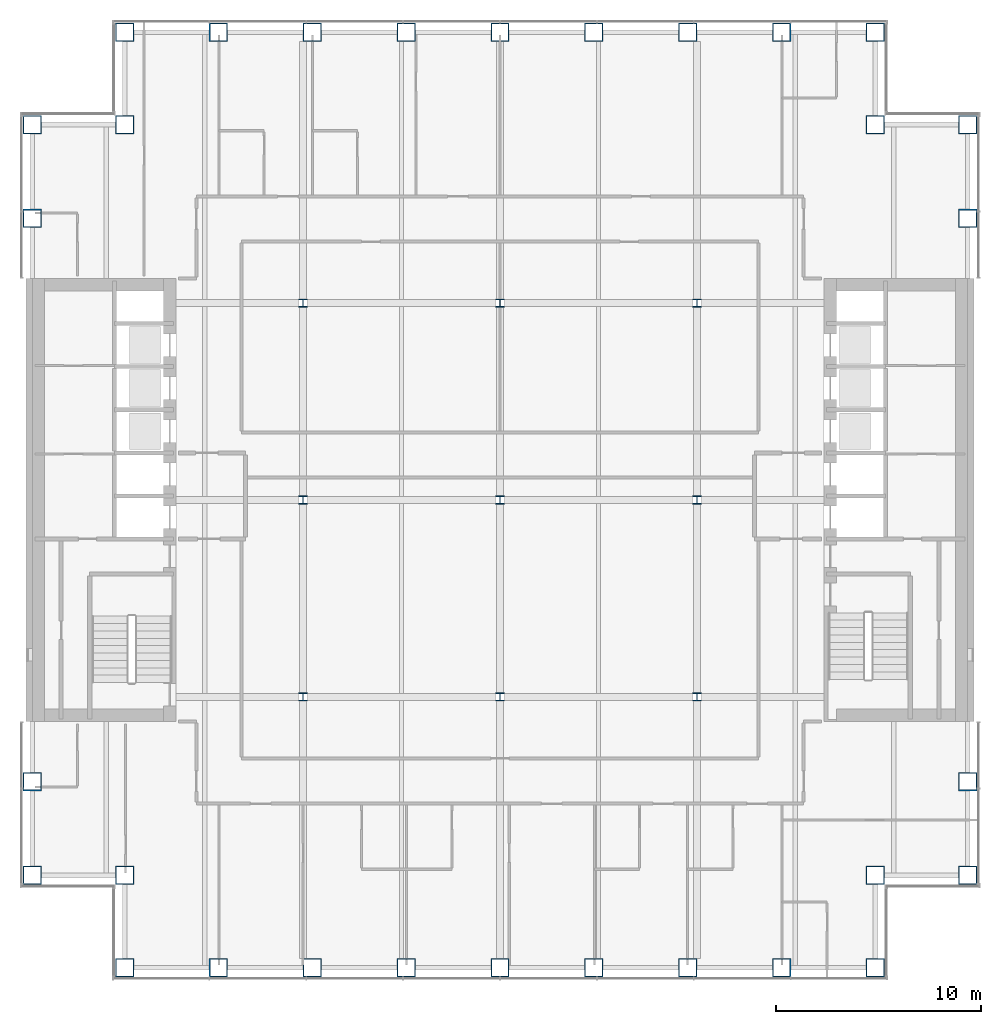
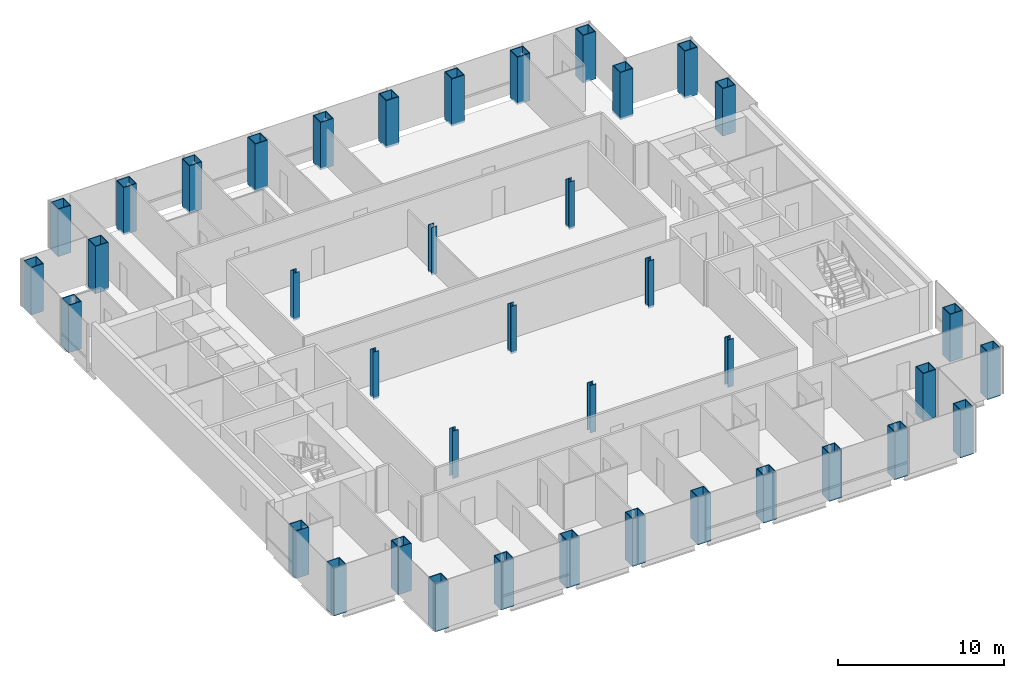
# One storey, part 1 of 15: 39 columns.
"""IFC4 building model written with IfcOpenShell, lengths in metres."""

from ifc_helpers import new_model, si_unit, direction, frame, origin, origin_2d, place, context, subcontext, project, spatial, hollow_rectangle, i_section, extrude, material, material_profile, profile_set, type_object, element, save


model = new_model("IFC4")

# Units and contexts
model_context = context("Model", 3, precision=1e-05, world=origin(), true_north=direction((0.0, 1.0)))
body_context = subcontext(model_context, "Body", "Model", "MODEL_VIEW")
ifc_project = project(units=[si_unit("LENGTHUNIT", "METRE"), si_unit("AREAUNIT", "SQUARE_METRE"), si_unit("VOLUMEUNIT", "CUBIC_METRE"), si_unit("PLANEANGLEUNIT", "RADIAN"), si_unit("MASSUNIT", "GRAM", prefix="KILO")], contexts=[model_context])

# Site, building, storey
site_placement = place(None, origin())
site = spatial("IfcSite", under=ifc_project, at=site_placement, CompositionType="ELEMENT")
building_placement = place(site_placement, origin())
building = spatial("IfcBuilding", under=site, at=building_placement, Name="Cobrizo Arcos Hotel Tower", CompositionType="ELEMENT")
storey_placement = place(building_placement, frame((0.0, 0.0, 99.5)))
storey = spatial("IfcBuildingStorey", under=building, at=storey_placement, Name="L24", CompositionType="ELEMENT", Elevation=99.5)

# Columns
ifc_material_1 = material(Name="Steel ASTM A572 Grade 50", Category="steel")
ifc_material_profile_1 = material_profile(ifc_material_1, hollow_rectangle(XDim=0.89990234375, YDim=0.89990234375, WallThickness=0.050048828125, at=origin_2d()), Name="BOX 900X900X50")
ifc_profile_set_1 = profile_set([ifc_material_profile_1], Name="Steel ASTM A572 Grade 50")
column_type_1 = type_object("IfcColumnType", Name="BOX 900X900X50 column", PredefinedType="COLUMN", material=ifc_profile_set_1)
for number, where, z_axis, x_axis, name in (
    (1, (-18.300048828125, 22.800048828125, -0.14990234375), (0.0, 0.0, 1.0), (1.0, 0.0, 0.0), "Perimeter column C6, L24, no. 00"),
    (2, (-18.300048828125, -22.800048828125, -0.14990234375), (0.0, 0.0, 1.0), (1.0, 0.0, 0.0), "Perimeter column C6, L24, no. 01"),
    (3, (-13.72509765625, 22.800048828125, -0.14990234375), (0.0, 0.0, 1.0), (1.0, 0.0, 0.0), "Perimeter column C6, L24, no. 02"),
    (4, (-13.72509765625, -22.800048828125, -0.14990234375), (0.0, 0.0, 1.0), (1.0, 0.0, 0.0), "Perimeter column C6, L24, no. 03"),
    (5, (-9.14990234375, 22.800048828125, -0.14990234375), (0.0, 0.0, 1.0), (1.0, 0.0, 0.0), "Perimeter column C6, L24, no. 04"),
    (6, (-9.14990234375, -22.800048828125, -0.14990234375), (0.0, 0.0, 1.0), (1.0, 0.0, 0.0), "Perimeter column C6, L24, no. 05"),
    (7, (-4.574951171875, 22.800048828125, -0.14990234375), (0.0, 0.0, 1.0), (1.0, 0.0, 0.0), "Perimeter column C6, L24, no. 06"),
    (8, (-4.574951171875, -22.800048828125, -0.14990234375), (0.0, 0.0, 1.0), (1.0, 0.0, 0.0), "Perimeter column C6, L24, no. 07"),
    (9, (0.0, 22.800048828125, -0.14990234375), (0.0, 0.0, 1.0), (1.0, 0.0, 0.0), "Perimeter column C6, L24, no. 08"),
    (10, (0.0, -22.800048828125, -0.14990234375), (0.0, 0.0, 1.0), (1.0, 0.0, 0.0), "Perimeter column C6, L24, no. 09"),
    (11, (4.574951171875, 22.800048828125, -0.14990234375), (0.0, 0.0, 1.0), (1.0, 0.0, 0.0), "Perimeter column C6, L24, no. 10"),
    (12, (4.574951171875, -22.800048828125, -0.14990234375), (0.0, 0.0, 1.0), (1.0, 0.0, 0.0), "Perimeter column C6, L24, no. 11"),
    (13, (9.14990234375, 22.800048828125, -0.14990234375), (0.0, 0.0, 1.0), (1.0, 0.0, 0.0), "Perimeter column C6, L24, no. 12"),
    (14, (9.14990234375, -22.800048828125, -0.14990234375), (0.0, 0.0, 1.0), (1.0, 0.0, 0.0), "Perimeter column C6, L24, no. 13"),
    (15, (13.72509765625, 22.800048828125, -0.14990234375), (0.0, 0.0, 1.0), (1.0, 0.0, 0.0), "Perimeter column C6, L24, no. 14"),
    (16, (13.72509765625, -22.800048828125, -0.14990234375), (0.0, 0.0, 1.0), (1.0, 0.0, 0.0), "Perimeter column C6, L24, no. 15"),
    (17, (18.300048828125, 22.800048828125, -0.14990234375), (0.0, 0.0, 1.0), (1.0, 0.0, 0.0), "Perimeter column C6, L24, no. 16"),
    (18, (18.300048828125, -22.800048828125, -0.14990234375), (0.0, 0.0, 1.0), (1.0, 0.0, 0.0), "Perimeter column C6, L24, no. 17"),
    (19, (22.800048828125, -18.300048828125, -0.14990234375), (0.0, 0.0, 1.0), (1.0, 0.0, 0.0), "Perimeter column C6, L24, no. 18"),
    (20, (-22.800048828125, -18.300048828125, -0.14990234375), (0.0, 0.0, 1.0), (1.0, 0.0, 0.0), "Perimeter column C6, L24, no. 19"),
    (21, (22.800048828125, -13.72509765625, -0.14990234375), (0.0, 0.0, 1.0), (1.0, 0.0, 0.0), "Perimeter column C6, L24, no. 20"),
    (22, (-22.800048828125, -13.72509765625, -0.14990234375), (0.0, 0.0, 1.0), (1.0, 0.0, 0.0), "Perimeter column C6, L24, no. 21"),
    (23, (22.800048828125, 13.72509765625, -0.14990234375), (0.0, 0.0, 1.0), (1.0, 0.0, 0.0), "Perimeter column C6, L24, no. 22"),
    (24, (-22.800048828125, 13.72509765625, -0.14990234375), (0.0, 0.0, 1.0), (1.0, 0.0, 0.0), "Perimeter column C6, L24, no. 23"),
    (25, (22.800048828125, 18.300048828125, -0.14990234375), (0.0, 0.0, 1.0), (1.0, 0.0, 0.0), "Perimeter column C6, L24, no. 24"),
    (26, (-22.800048828125, 18.300048828125, -0.14990234375), (0.0, 0.0, 1.0), (1.0, 0.0, 0.0), "Perimeter column C6, L24, no. 25"),
    (27, (-18.300048828125, -18.300048828125, -0.14990234375), (0.0, 0.0, 1.0), (1.0, 0.0, 0.0), "Perimeter column C6, L24, no. 26"),
    (28, (-18.300048828125, 18.300048828125, -0.14990234375), (0.0, 0.0, 1.0), (1.0, 0.0, 0.0), "Perimeter column C6, L24, no. 27"),
    (29, (18.300048828125, -18.300048828125, -0.14990234375), (0.0, 0.0, 1.0), (1.0, 0.0, 0.0), "Perimeter column C6, L24, no. 28"),
    (30, (18.300048828125, 18.300048828125, -0.14990234375), (0.0, 0.0, 1.0), (1.0, 0.0, 0.0), "Perimeter column C6, L24, no. 29"),
):
    element("IfcColumn", number, at=place(storey_placement, frame(where, z_axis=z_axis, x_axis=x_axis)), inside=storey, type_object=column_type_1, Name=name, PredefinedType="COLUMN", context=body_context, shape_type="SweptSolid", body=[
        extrude(hollow_rectangle(XDim=0.89990234375, YDim=0.89990234375, WallThickness=0.050048828125, at=origin_2d()), origin(), (0.0, 0.0, 1.0), 3.5),
    ])
ifc_material_2 = material(Name="Steel ASTM A992 Grade 50", Category="steel")
ifc_material_profile_2 = material_profile(ifc_material_2, i_section(OverallWidth=0.398681640625, OverallDepth=0.393798828125, WebThickness=0.022705078125, FlangeThickness=0.03662109375, at=origin_2d()), Name="W14X193")
ifc_profile_set_2 = profile_set([ifc_material_profile_2], Name="Steel ASTM A992 Grade 50")
column_type_2 = type_object("IfcColumnType", Name="W14X193 interior column", PredefinedType="COLUMN", material=ifc_profile_set_2)
for number, where, z_axis, x_axis, name in (
    (31, (-9.60009765625, -9.60009765625, -0.14990234375), (0.0, 0.0, 1.0), (1.0, 0.0, 0.0), "Interior column C7, L24, no. 00"),
    (32, (-9.60009765625, 0.0, -0.14990234375), (0.0, 0.0, 1.0), (1.0, 0.0, 0.0), "Interior column C7, L24, no. 01"),
    (33, (-9.60009765625, 9.60009765625, -0.14990234375), (0.0, 0.0, 1.0), (1.0, 0.0, 0.0), "Interior column C7, L24, no. 02"),
    (34, (0.0, -9.60009765625, -0.14990234375), (0.0, 0.0, 1.0), (1.0, 0.0, 0.0), "Interior column C7, L24, no. 03"),
    (35, (0.0, 0.0, -0.14990234375), (0.0, 0.0, 1.0), (1.0, 0.0, 0.0), "Interior column C7, L24, no. 04"),
    (36, (0.0, 9.60009765625, -0.14990234375), (0.0, 0.0, 1.0), (1.0, 0.0, 0.0), "Interior column C7, L24, no. 05"),
    (37, (9.60009765625, -9.60009765625, -0.14990234375), (0.0, 0.0, 1.0), (1.0, 0.0, 0.0), "Interior column C7, L24, no. 06"),
    (38, (9.60009765625, 0.0, -0.14990234375), (0.0, 0.0, 1.0), (1.0, 0.0, 0.0), "Interior column C7, L24, no. 07"),
    (39, (9.60009765625, 9.60009765625, -0.14990234375), (0.0, 0.0, 1.0), (1.0, 0.0, 0.0), "Interior column C7, L24, no. 08"),
):
    element("IfcColumn", number, at=place(storey_placement, frame(where, z_axis=z_axis, x_axis=x_axis)), inside=storey, type_object=column_type_2, Name=name, PredefinedType="COLUMN", context=body_context, shape_type="SweptSolid", body=[
        extrude(i_section(OverallWidth=0.398681640625, OverallDepth=0.393798828125, WebThickness=0.022705078125, FlangeThickness=0.03662109375, at=origin_2d()), origin(), (0.0, 0.0, 1.0), 3.5),
    ])

save(model, "model.ifc")
